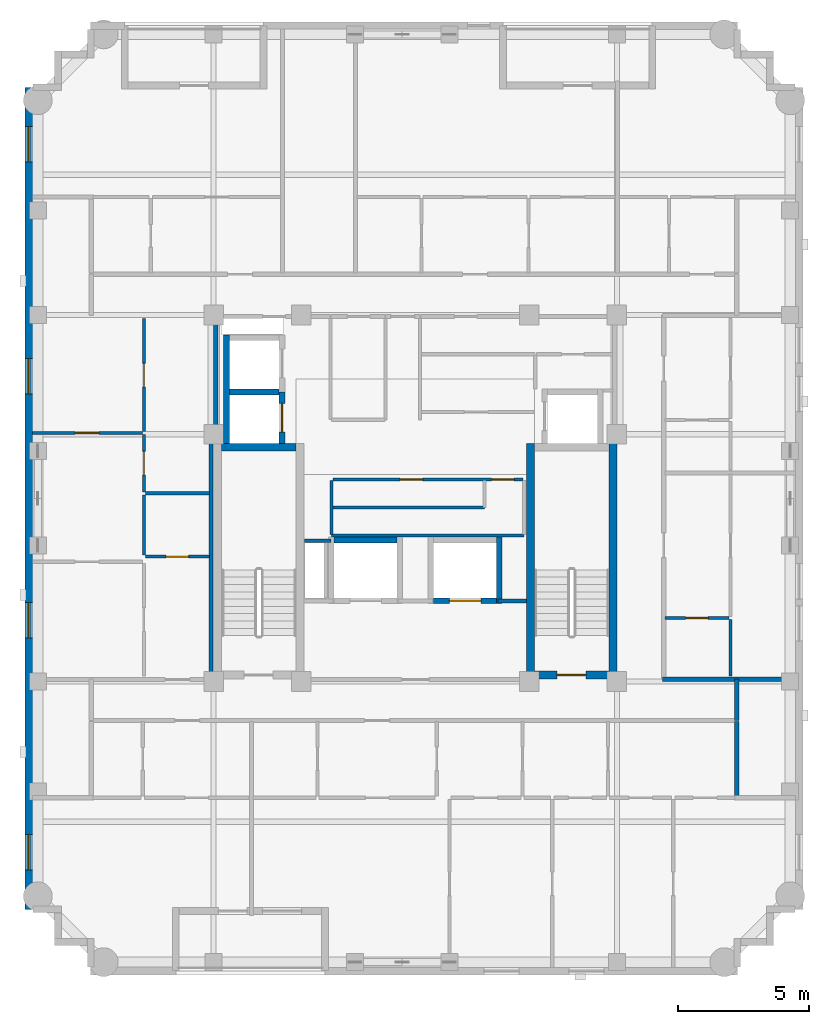
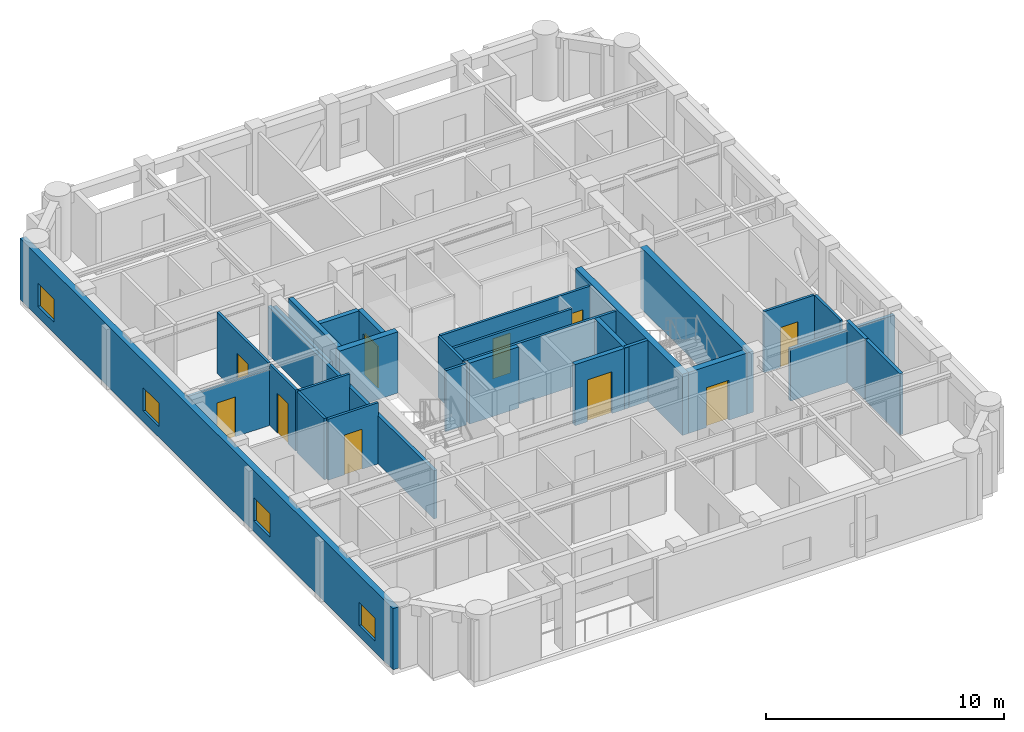
# One storey, part 4 of 10: 30 walls, 10 doors, 4 windows, 14 openings.
"""IFC4 building model written with IfcOpenShell, lengths in metres."""

from ifc_helpers import new_model, si_unit, derived_unit, direction, frame, frame_2d, origin, place, context, subcontext, project, spatial, rectangle, extrude, material, layer, layer_set, type_object, element, fill, save


model = new_model("IFC4")

# Units and contexts
model_context = context("Model", 3, precision=1e-05, world=origin(), true_north=direction((0.0, 1.0)))
body_context = subcontext(model_context, "Body", "Model", "MODEL_VIEW")
ifc_project = project(units=[si_unit("LENGTHUNIT", "METRE"), si_unit("AREAUNIT", "SQUARE_METRE"), si_unit("VOLUMEUNIT", "CUBIC_METRE"), si_unit("PLANEANGLEUNIT", "RADIAN"), si_unit("MASSUNIT", "GRAM", prefix="KILO"), derived_unit("THERMALTRANSMITTANCEUNIT", [(si_unit("MASSUNIT", "GRAM", prefix="KILO"), 1), (si_unit("TIMEUNIT", "SECOND"), -3), (si_unit("THERMODYNAMICTEMPERATUREUNIT", "KELVIN"), -1)])], contexts=[model_context])

# Site, building, storey
site_placement = place(None, origin())
site = spatial("IfcSite", under=ifc_project, at=site_placement, CompositionType="ELEMENT")
building_placement = place(site_placement, origin())
building = spatial("IfcBuilding", under=site, at=building_placement, Name="Korrvale Station Residences", CompositionType="ELEMENT")
storey_placement = place(building_placement, frame((0.0, 0.0, 217.300048828125)))
storey = spatial("IfcBuildingStorey", under=building, at=storey_placement, Name="L63", CompositionType="ELEMENT", Elevation=217.300048828125)

# Walls
ifc_material_1 = material(Name="Concrete C50/60", Category="concrete")
ifc_layer_1 = layer(ifc_material_1, 0.300048828125, Name="Concrete C50/60")
ifc_layer_set_1 = layer_set([ifc_layer_1], Name="Concrete C50/60")
wall_type_1 = type_object("IfcWallType", Name="WAL-CORE-300-C50", PredefinedType="SHEAR", material=ifc_layer_set_1)
wall_1_placement = place(storey_placement, frame((18.10009765625, 23.949951171875, 0.0), z_axis=(0.0, 0.0, 1.0), x_axis=(1.0, 0.0, 0.0)))
element("IfcWall", 1, at=wall_1_placement, inside=storey, type_object=wall_type_1, Name="L63 ST-1 Core Shear Wall North", PredefinedType="SHEAR", context=body_context, shape_type="SweptSolid", body=[
    extrude(rectangle(XDim=2.849853515625, YDim=0.300048828125, at=frame_2d((1.4248046875, 0.0))), origin(), (0.0, 0.0, 1.0), 3.139892578125),
])
for number, where, z_axis, x_axis, name in (
    (2, (29.89990234375, 15.10009765625, 0.0), (0.0, 0.0, 1.0), (0.0, 1.0, 0.0), "L63 ST-2 Core Shear Wall West"),
    (3, (33.050048828125, 15.10009765625, 0.0), (0.0, 0.0, 1.0), (0.0, 1.0, 0.0), "L63 ST-2 Core Shear Wall East"),
):
    element("IfcWall", number, at=place(storey_placement, frame(where, z_axis=z_axis, x_axis=x_axis)), inside=storey, type_object=wall_type_1, Name=name, PredefinedType="SHEAR", context=body_context, shape_type="SweptSolid", body=[
        extrude(rectangle(XDim=9.0, YDim=0.300048828125, at=frame_2d((4.5, 0.0))), origin(), (0.0, 0.0, 1.0), 3.139892578125),
    ])

# Wall, opening, door
wall_2_placement = place(storey_placement, frame((30.050048828125, 15.25, 0.0), z_axis=(0.0, 0.0, 1.0), x_axis=(1.0, 0.0, 0.0)))
wall_2 = element("IfcWall", 4, at=wall_2_placement, inside=storey, type_object=wall_type_1, Name="L63 ST-2 Core Shear Wall South", PredefinedType="SHEAR", context=body_context, shape_type="SweptSolid", body=[
    extrude(rectangle(XDim=2.849853515625, YDim=0.300048828125, at=frame_2d((1.4248046875, 0.0))), origin(), (0.0, 0.0, 1.0), 3.139892578125),
])
opening_1_placement = place(wall_2_placement, frame((0.860107421875, 0.0, 0.0)))
opening_1 = element("IfcOpeningElement", 5, at=opening_1_placement, cuts=wall_2, Name="Opening SD-1100", PredefinedType="OPENING", context=body_context, shape_type="SweptSolid", body=[
    extrude(rectangle(XDim=1.10009765625, YDim=2.050048828125, at=frame_2d((0.550048828125, 1.02490234375))), frame((0.0, 0.16015625, 0.0), z_axis=(0.0, -1.0, 0.0), x_axis=(1.0, 0.0, 0.0)), (0.0, 0.0, 1.0), 0.320068359375),
])
ifc_material_2 = material(Name="Hollow-metal fire-rated stair door with closer", Category="steel")
door_type_1 = type_object("IfcDoorType", Name="DR-STAIR-1100", OperationType="NOTDEFINED", PredefinedType="DOOR", material=ifc_material_2)
door_1_placement = place(opening_1_placement, origin())
door_1 = element("IfcDoor", 6, at=door_1_placement, inside=storey, type_object=door_type_1, Name="L63 ST-2 Exit Stair Door", OperationType="SINGLE_SWING_RIGHT", OverallHeight=2.050048828125, OverallWidth=1.10009765625, PredefinedType="DOOR", context=body_context, shape_type="SweptSolid", body=[
    extrude(rectangle(XDim=1.10009765625, YDim=2.050048828125, at=frame_2d((0.550048828125, 1.02490234375))), frame((0.0, 0.02490234375, 0.0), z_axis=(0.0, -1.0, 0.0), x_axis=(1.0, 0.0, 0.0)), (0.0, 0.0, 1.0), 0.050048828125),
])
fill(opening_1, door_1)

# Wall, openings, windows
ifc_material_3 = material(Name="Precast concrete C45/55", Category="concrete")
ifc_layer_2 = layer(ifc_material_3, 0.300048828125, Name="Precast concrete C45/55")
ifc_layer_set_2 = layer_set([ifc_layer_2], Name="Precast concrete C45/55")
wall_type_2 = type_object("IfcWallType", Name="WAL-EXT-PC300", PredefinedType="SOLIDWALL", material=ifc_layer_set_2)
wall_3_placement = place(storey_placement, frame((10.75, 6.300048828125, 0.0), z_axis=(0.0, 0.0, 1.0), x_axis=(0.0, 1.0, 0.0)))
wall_3 = element("IfcWall", 7, at=wall_3_placement, inside=storey, type_object=wall_type_2, Name="L63 West Exterior Precast Wall 1", PredefinedType="SOLIDWALL", context=body_context, shape_type="SweptSolid", body=[
    extrude(rectangle(XDim=31.39990234375, YDim=0.300048828125, at=frame_2d((15.699951171875, 0.0))), origin(), (0.0, 0.0, 1.0), 3.139892578125),
])
opening_2_placement = place(wall_3_placement, frame((1.50390625, 0.0, 0.550048828125)))
opening_2 = element("IfcOpeningElement", 8, at=opening_2_placement, cuts=wall_3, Name="Opening W-10", PredefinedType="OPENING", context=body_context, shape_type="SweptSolid", body=[
    extrude(rectangle(XDim=1.35009765625, YDim=1.199951171875, at=frame_2d((0.675048828125, 0.60009765625))), frame((0.0, 0.16015625, 0.0), z_axis=(0.0, -1.0, 0.0), x_axis=(1.0, 0.0, 0.0)), (0.0, 0.0, 1.0), 0.320068359375),
])
opening_3_placement = place(wall_3_placement, frame((28.5458984375, 0.0, 0.550048828125)))
opening_3 = element("IfcOpeningElement", 9, at=opening_3_placement, cuts=wall_3, Name="Opening W-10", PredefinedType="OPENING", context=body_context, shape_type="SweptSolid", body=[
    extrude(rectangle(XDim=1.35009765625, YDim=1.199951171875, at=frame_2d((0.675048828125, 0.60009765625))), frame((0.0, 0.16015625, 0.0), z_axis=(0.0, -1.0, 0.0), x_axis=(1.0, 0.0, 0.0)), (0.0, 0.0, 1.0), 0.320068359375),
])
opening_4_placement = place(wall_3_placement, frame((10.366943359375, 0.0, 0.550048828125)))
opening_4 = element("IfcOpeningElement", 10, at=opening_4_placement, cuts=wall_3, Name="Opening W-10", PredefinedType="OPENING", context=body_context, shape_type="SweptSolid", body=[
    extrude(rectangle(XDim=1.35009765625, YDim=1.199951171875, at=frame_2d((0.675048828125, 0.60009765625))), frame((0.0, 0.16015625, 0.0), z_axis=(0.0, -1.0, 0.0), x_axis=(1.0, 0.0, 0.0)), (0.0, 0.0, 1.0), 0.320068359375),
])
opening_5_placement = place(wall_3_placement, frame((19.68310546875, 0.0, 0.550048828125)))
opening_5 = element("IfcOpeningElement", 11, at=opening_5_placement, cuts=wall_3, Name="Opening W-10", PredefinedType="OPENING", context=body_context, shape_type="SweptSolid", body=[
    extrude(rectangle(XDim=1.35009765625, YDim=1.199951171875, at=frame_2d((0.675048828125, 0.60009765625))), frame((0.0, 0.16015625, 0.0), z_axis=(0.0, -1.0, 0.0), x_axis=(1.0, 0.0, 0.0)), (0.0, 0.0, 1.0), 0.320068359375),
])
ifc_material_4 = material(Name="Thermally broken aluminium frame with triple low-e glazing", Category="aluminium")
window_type = type_object("IfcWindowType", Name="WIN-W10", PartitioningType="SINGLE_PANEL", PredefinedType="WINDOW", material=ifc_material_4)
window_1_placement = place(opening_2_placement, origin())
window_1 = element("IfcWindow", 12, at=window_1_placement, inside=storey, type_object=window_type, Name="L63 Punched Window 01", OverallHeight=1.199951171875, OverallWidth=1.35009765625, PartitioningType="SINGLE_PANEL", PredefinedType="WINDOW", context=body_context, shape_type="SweptSolid", body=[
    extrude(rectangle(XDim=1.35009765625, YDim=1.199951171875, at=frame_2d((0.675048828125, 0.60009765625))), frame((0.0, 0.030029296875, 0.0), z_axis=(0.0, -1.0, 0.0), x_axis=(1.0, 0.0, 0.0)), (0.0, 0.0, 1.0), 0.06005859375),
])
fill(opening_2, window_1)
window_2_placement = place(opening_3_placement, origin())
window_2 = element("IfcWindow", 13, at=window_2_placement, inside=storey, type_object=window_type, Name="L63 Punched Window 06", OverallHeight=1.199951171875, OverallWidth=1.35009765625, PartitioningType="SINGLE_PANEL", PredefinedType="WINDOW", context=body_context, shape_type="SweptSolid", body=[
    extrude(rectangle(XDim=1.35009765625, YDim=1.199951171875, at=frame_2d((0.675048828125, 0.60009765625))), frame((0.0, 0.030029296875, 0.0), z_axis=(0.0, -1.0, 0.0), x_axis=(1.0, 0.0, 0.0)), (0.0, 0.0, 1.0), 0.06005859375),
])
fill(opening_3, window_2)
window_3_placement = place(opening_4_placement, origin())
window_3 = element("IfcWindow", 14, at=window_3_placement, inside=storey, type_object=window_type, Name="L63 Punched Window 09", OverallHeight=1.199951171875, OverallWidth=1.35009765625, PartitioningType="SINGLE_PANEL", PredefinedType="WINDOW", context=body_context, shape_type="SweptSolid", body=[
    extrude(rectangle(XDim=1.35009765625, YDim=1.199951171875, at=frame_2d((0.675048828125, 0.60009765625))), frame((0.0, 0.030029296875, 0.0), z_axis=(0.0, -1.0, 0.0), x_axis=(1.0, 0.0, 0.0)), (0.0, 0.0, 1.0), 0.06005859375),
])
fill(opening_4, window_3)
window_4_placement = place(opening_5_placement, origin())
window_4 = element("IfcWindow", 15, at=window_4_placement, inside=storey, type_object=window_type, Name="L63 Punched Window 10", OverallHeight=1.199951171875, OverallWidth=1.35009765625, PartitioningType="SINGLE_PANEL", PredefinedType="WINDOW", context=body_context, shape_type="SweptSolid", body=[
    extrude(rectangle(XDim=1.35009765625, YDim=1.199951171875, at=frame_2d((0.675048828125, 0.60009765625))), frame((0.0, 0.030029296875, 0.0), z_axis=(0.0, -1.0, 0.0), x_axis=(1.0, 0.0, 0.0)), (0.0, 0.0, 1.0), 0.06005859375),
])
fill(opening_5, window_4)

# Walls
ifc_material_5 = material(Name="Acoustic steel-stud gypsum board partition", Category="steel")
ifc_layer_3 = layer(ifc_material_5, 0.1201171875, Name="Acoustic steel-stud gypsum board partition")
ifc_layer_set_3 = layer_set([ifc_layer_3], Name="Acoustic steel-stud gypsum board partition")
wall_type_3 = type_object("IfcWallType", Name="WAL-PART-125", PredefinedType="PARTITIONING", material=ifc_layer_set_3)
wall_4_placement = place(storey_placement, frame((22.280029296875, 20.3798828125, 0.0), z_axis=(0.0, 0.0, 1.0), x_axis=(-1.0, 0.0, 0.0)))
element("IfcWall", 16, at=wall_4_placement, inside=storey, type_object=wall_type_3, Name="L63 Core Partition CW-RSWT-N", PredefinedType="PARTITIONING", context=body_context, shape_type="SweptSolid", body=[
    extrude(rectangle(XDim=1.02001953125, YDim=0.1201171875, at=frame_2d((0.510009765625, 0.0))), origin(), (0.0, 0.0, 1.0), 3.139892578125),
])
wall_5_placement = place(storey_placement, frame((22.300048828125, 20.580078125, 0.0), z_axis=(0.0, 0.0, 1.0), x_axis=(1.0, 0.0, 0.0)))
element("IfcWall", 17, at=wall_5_placement, inside=storey, type_object=wall_type_3, Name="L63 Core Partition CW-FPM-S", PredefinedType="PARTITIONING", context=body_context, shape_type="SweptSolid", body=[
    extrude(rectangle(XDim=7.349853515625, YDim=0.1201171875, at=frame_2d((3.6748046875, 0.0))), origin(), (0.0, 0.0, 1.0), 3.139892578125),
])
wall_6_placement = place(storey_placement, frame((22.300048828125, 20.6201171875, 0.0), z_axis=(0.0, 0.0, 1.0), x_axis=(0.0, 1.0, 0.0)))
element("IfcWall", 18, at=wall_6_placement, inside=storey, type_object=wall_type_3, Name="L63 Core Partition CW-FPM-W", PredefinedType="PARTITIONING", context=body_context, shape_type="SweptSolid", body=[
    extrude(rectangle(XDim=2.059814453125, YDim=0.1201171875, at=frame_2d((1.02978515625, 0.0))), origin(), (0.0, 0.0, 1.0), 3.139892578125),
])
wall_7_placement = place(storey_placement, frame((22.35009765625, 21.64990234375, 0.0), z_axis=(0.0, 0.0, 1.0), x_axis=(1.0, 0.0, 0.0)))
element("IfcWall", 19, at=wall_7_placement, inside=storey, type_object=wall_type_3, Name="L63 Core Partition CW-FPM-H1", PredefinedType="PARTITIONING", context=body_context, shape_type="SweptSolid", body=[
    extrude(rectangle(XDim=5.789794921875, YDim=0.1201171875, at=frame_2d((2.89501953125, 0.0))), origin(), (0.0, 0.0, 1.0), 3.139892578125),
])

# Wall, openings, doors
wall_8_placement = place(storey_placement, frame((22.35009765625, 22.719970703125, 0.0), z_axis=(0.0, 0.0, 1.0), x_axis=(1.0, 0.0, 0.0)))
wall_8 = element("IfcWall", 20, at=wall_8_placement, inside=storey, type_object=wall_type_3, Name="L63 Core Partition CW-FPM-N", PredefinedType="PARTITIONING", context=body_context, shape_type="SweptSolid", body=[
    extrude(rectangle(XDim=7.27001953125, YDim=0.1201171875, at=frame_2d((3.635009765625, 0.0))), origin(), (0.0, 0.0, 1.0), 3.139892578125),
])
opening_6_placement = place(wall_8_placement, frame((2.570068359375, 0.0, 0.0)))
opening_6 = element("IfcOpeningElement", 21, at=opening_6_placement, cuts=wall_8, Name="Opening DB-860", PredefinedType="OPENING", context=body_context, shape_type="SweptSolid", body=[
    extrude(rectangle(XDim=0.860107421875, YDim=2.050048828125, at=frame_2d((0.43017578125, 1.02490234375))), frame((0.0, 0.070068359375, 0.0), z_axis=(0.0, -1.0, 0.0), x_axis=(1.0, 0.0, 0.0)), (0.0, 0.0, 1.0), 0.14013671875),
])
opening_7_placement = place(wall_8_placement, frame((6.06005859375, 0.0, 0.0)))
opening_7 = element("IfcOpeningElement", 22, at=opening_7_placement, cuts=wall_8, Name="Opening DB-860", PredefinedType="OPENING", context=body_context, shape_type="SweptSolid", body=[
    extrude(rectangle(XDim=0.860107421875, YDim=2.050048828125, at=frame_2d((0.43017578125, 1.02490234375))), frame((0.0, 0.070068359375, 0.0), z_axis=(0.0, -1.0, 0.0), x_axis=(1.0, 0.0, 0.0)), (0.0, 0.0, 1.0), 0.14013671875),
])
ifc_material_6 = material(Name="Moisture-resistant solid-core bathroom door", Category="timber")
door_type_2 = type_object("IfcDoorType", Name="DR-BATH-860", OperationType="NOTDEFINED", PredefinedType="DOOR", material=ifc_material_6)
door_2_placement = place(opening_6_placement, origin())
door_2 = element("IfcDoor", 23, at=door_2_placement, inside=storey, type_object=door_type_2, Name="L63 Sky Pantry Door", OperationType="SINGLE_SWING_LEFT", OverallHeight=2.050048828125, OverallWidth=0.860107421875, PredefinedType="DOOR", context=body_context, shape_type="SweptSolid", body=[
    extrude(rectangle(XDim=0.860107421875, YDim=2.050048828125, at=frame_2d((0.43017578125, 1.02490234375))), frame((0.0, 0.02490234375, 0.0), z_axis=(0.0, -1.0, 0.0), x_axis=(1.0, 0.0, 0.0)), (0.0, 0.0, 1.0), 0.050048828125),
])
fill(opening_6, door_2)
door_3_placement = place(opening_7_placement, origin())
door_3 = element("IfcDoor", 24, at=door_3_placement, inside=storey, type_object=door_type_2, Name="L63 Tableware Store Door", OperationType="SINGLE_SWING_RIGHT", OverallHeight=2.050048828125, OverallWidth=0.860107421875, PredefinedType="DOOR", context=body_context, shape_type="SweptSolid", body=[
    extrude(rectangle(XDim=0.860107421875, YDim=2.050048828125, at=frame_2d((0.43017578125, 1.02490234375))), frame((0.0, 0.02490234375, 0.0), z_axis=(0.0, -1.0, 0.0), x_axis=(1.0, 0.0, 0.0)), (0.0, 0.0, 1.0), 0.050048828125),
])
fill(opening_7, door_3)

# Wall
wall_9_placement = place(storey_placement, frame((15.18994140625, 22.18994140625, 0.0), z_axis=(0.0, 0.0, 1.0), x_axis=(1.0, 0.0, 0.0)))
element("IfcWall", 25, at=wall_9_placement, inside=storey, type_object=wall_type_3, Name="L63 Suite Partition U06-H01", PredefinedType="PARTITIONING", context=body_context, shape_type="SweptSolid", body=[
    extrude(rectangle(XDim=2.449951171875, YDim=0.1201171875, at=frame_2d((1.22509765625, 0.0))), origin(), (0.0, 0.0, 1.0), 3.139892578125),
])

# Wall, opening, door
wall_10_placement = place(storey_placement, frame((15.1298828125, 22.25, 0.0), z_axis=(0.0, 0.0, 1.0), x_axis=(0.0, 1.0, 0.0)))
wall_10 = element("IfcWall", 26, at=wall_10_placement, inside=storey, type_object=wall_type_3, Name="L63 Suite Partition U06-V04", PredefinedType="PARTITIONING", context=body_context, shape_type="SweptSolid", body=[
    extrude(rectangle(XDim=2.181884765625, YDim=0.1201171875, at=frame_2d((1.0908203125, 0.0))), origin(), (0.0, 0.0, 1.0), 3.139892578125),
])
opening_8_placement = place(wall_10_placement, frame((0.64111328125, 0.0, 0.0)))
opening_8 = element("IfcOpeningElement", 27, at=opening_8_placement, cuts=wall_10, Name="Opening DI-900", PredefinedType="OPENING", context=body_context, shape_type="SweptSolid", body=[
    extrude(rectangle(XDim=0.89990234375, YDim=2.050048828125, at=frame_2d((0.449951171875, 1.02490234375))), frame((0.0, 0.070068359375, 0.0), z_axis=(0.0, -1.0, 0.0), x_axis=(1.0, 0.0, 0.0)), (0.0, 0.0, 1.0), 0.14013671875),
])
ifc_material_7 = material(Name="Painted solid-core timber interior room door", Category="wood")
door_type_3 = type_object("IfcDoorType", Name="DR-INT-900", OperationType="NOTDEFINED", PredefinedType="DOOR", material=ifc_material_7)
door_4_placement = place(opening_8_placement, origin())
door_4 = element("IfcDoor", 28, at=door_4_placement, inside=storey, type_object=door_type_3, Name="L63 Apartment 2BR L63-U06 Wardrobe Storage Room Door", OperationType="SINGLE_SWING_RIGHT", OverallHeight=2.050048828125, OverallWidth=0.89990234375, PredefinedType="DOOR", context=body_context, shape_type="SweptSolid", body=[
    extrude(rectangle(XDim=0.89990234375, YDim=2.050048828125, at=frame_2d((0.449951171875, 1.02490234375))), frame((0.0, 0.02490234375, 0.0), z_axis=(0.0, -1.0, 0.0), x_axis=(1.0, 0.0, 0.0)), (0.0, 0.0, 1.0), 0.050048828125),
])
fill(opening_8, door_4)

wall_11_placement = place(storey_placement, frame((15.1298828125, 24.552001953125, 0.0), z_axis=(0.0, 0.0, 1.0), x_axis=(0.0, 1.0, 0.0)))
wall_11 = element("IfcWall", 29, at=wall_11_placement, inside=storey, type_object=wall_type_3, Name="L63 Suite Partition U06-V05", PredefinedType="PARTITIONING", context=body_context, shape_type="SweptSolid", body=[
    extrude(rectangle(XDim=4.30810546875, YDim=0.1201171875, at=frame_2d((2.154052734375, 0.0))), origin(), (0.0, 0.0, 1.0), 3.139892578125),
])
opening_9_placement = place(wall_11_placement, frame((1.7041015625, 0.0, 0.0)))
opening_9 = element("IfcOpeningElement", 30, at=opening_9_placement, cuts=wall_11, Name="Opening DI-900", PredefinedType="OPENING", context=body_context, shape_type="SweptSolid", body=[
    extrude(rectangle(XDim=0.89990234375, YDim=2.050048828125, at=frame_2d((0.449951171875, 1.02490234375))), frame((0.0, 0.070068359375, 0.0), z_axis=(0.0, -1.0, 0.0), x_axis=(1.0, 0.0, 0.0)), (0.0, 0.0, 1.0), 0.14013671875),
])
door_5_placement = place(opening_9_placement, origin())
door_5 = element("IfcDoor", 31, at=door_5_placement, inside=storey, type_object=door_type_3, Name="L63 Apartment 2BR L63-U06 Wardrobe Storage Room Door", OperationType="SINGLE_SWING_LEFT", OverallHeight=2.050048828125, OverallWidth=0.89990234375, PredefinedType="DOOR", context=body_context, shape_type="SweptSolid", body=[
    extrude(rectangle(XDim=0.89990234375, YDim=2.050048828125, at=frame_2d((0.449951171875, 1.02490234375))), frame((0.0, 0.02490234375, 0.0), z_axis=(0.0, -1.0, 0.0), x_axis=(1.0, 0.0, 0.0)), (0.0, 0.0, 1.0), 0.050048828125),
])
fill(opening_9, door_5)

wall_12_placement = place(storey_placement, frame((15.18994140625, 19.77001953125, 0.0), z_axis=(0.0, 0.0, 1.0), x_axis=(1.0, 0.0, 0.0)))
wall_12 = element("IfcWall", 32, at=wall_12_placement, inside=storey, type_object=wall_type_3, Name="L63 Suite Partition U06-H12", PredefinedType="PARTITIONING", context=body_context, shape_type="SweptSolid", body=[
    extrude(rectangle(XDim=2.449951171875, YDim=0.1201171875, at=frame_2d((1.22509765625, 0.0))), origin(), (0.0, 0.0, 1.0), 3.139892578125),
])
opening_10_placement = place(wall_12_placement, frame((0.794921875, 0.0, 0.0)))
opening_10 = element("IfcOpeningElement", 33, at=opening_10_placement, cuts=wall_12, Name="Opening DB-860", PredefinedType="OPENING", context=body_context, shape_type="SweptSolid", body=[
    extrude(rectangle(XDim=0.860107421875, YDim=2.050048828125, at=frame_2d((0.43017578125, 1.02490234375))), frame((0.0, 0.070068359375, 0.0), z_axis=(0.0, -1.0, 0.0), x_axis=(1.0, 0.0, 0.0)), (0.0, 0.0, 1.0), 0.14013671875),
])
door_6_placement = place(opening_10_placement, origin())
door_6 = element("IfcDoor", 34, at=door_6_placement, inside=storey, type_object=door_type_2, Name="L63 Apartment 2BR L63-U06 Bathroom Door", OperationType="SINGLE_SWING_RIGHT", OverallHeight=2.050048828125, OverallWidth=0.860107421875, PredefinedType="DOOR", context=body_context, shape_type="SweptSolid", body=[
    extrude(rectangle(XDim=0.860107421875, YDim=2.050048828125, at=frame_2d((0.43017578125, 1.02490234375))), frame((0.0, 0.02490234375, 0.0), z_axis=(0.0, -1.0, 0.0), x_axis=(1.0, 0.0, 0.0)), (0.0, 0.0, 1.0), 0.050048828125),
])
fill(opening_10, door_6)

# Wall
wall_13_placement = place(storey_placement, frame((15.1298828125, 19.830078125, 0.0), z_axis=(0.0, 0.0, 1.0), x_axis=(0.0, 1.0, 0.0)))
element("IfcWall", 35, at=wall_13_placement, inside=storey, type_object=wall_type_3, Name="L63 Suite Partition U06-V14", PredefinedType="PARTITIONING", context=body_context, shape_type="SweptSolid", body=[
    extrude(rectangle(XDim=2.2998046875, YDim=0.1201171875, at=frame_2d((1.14990234375, 0.0))), origin(), (0.0, 0.0, 1.0), 3.139892578125),
])

# Wall, opening, door
wall_14_placement = place(storey_placement, frame((10.8798828125, 24.491943359375, 0.0), z_axis=(0.0, 0.0, 1.0), x_axis=(1.0, 0.0, 0.0)))
wall_14 = element("IfcWall", 36, at=wall_14_placement, inside=storey, type_object=wall_type_3, Name="L63 Suite Partition U06-H45", PredefinedType="PARTITIONING", context=body_context, shape_type="SweptSolid", body=[
    extrude(rectangle(XDim=4.190185546875, YDim=0.1201171875, at=frame_2d((2.09521484375, 0.0))), origin(), (0.0, 0.0, 1.0), 2.8779296875),
])
opening_11_placement = place(wall_14_placement, frame((1.6298828125, 0.0, 0.0)))
opening_11 = element("IfcOpeningElement", 37, at=opening_11_placement, cuts=wall_14, Name="Opening DI-900", PredefinedType="OPENING", context=body_context, shape_type="SweptSolid", body=[
    extrude(rectangle(XDim=0.89990234375, YDim=2.050048828125, at=frame_2d((0.449951171875, 1.02490234375))), frame((0.0, 0.070068359375, 0.0), z_axis=(0.0, -1.0, 0.0), x_axis=(1.0, 0.0, 0.0)), (0.0, 0.0, 1.0), 0.14013671875),
])
door_7_placement = place(opening_11_placement, origin())
door_7 = element("IfcDoor", 38, at=door_7_placement, inside=storey, type_object=door_type_3, Name="L63 Apartment 2BR L63-U06 Living and Dining Room Door", OperationType="SINGLE_SWING_LEFT", OverallHeight=2.050048828125, OverallWidth=0.89990234375, PredefinedType="DOOR", context=body_context, shape_type="SweptSolid", body=[
    extrude(rectangle(XDim=0.89990234375, YDim=2.050048828125, at=frame_2d((0.449951171875, 1.02490234375))), frame((0.0, 0.02490234375, 0.0), z_axis=(0.0, -1.0, 0.0), x_axis=(1.0, 0.0, 0.0)), (0.0, 0.0, 1.0), 0.050048828125),
])
fill(opening_11, door_7)

wall_15_placement = place(storey_placement, frame((35.030029296875, 17.428955078125, 0.0), z_axis=(0.0, 0.0, 1.0), x_axis=(1.0, 0.0, 0.0)))
wall_15 = element("IfcWall", 39, at=wall_15_placement, inside=storey, type_object=wall_type_3, Name="L63 Suite Partition U07-H01", PredefinedType="PARTITIONING", context=body_context, shape_type="SweptSolid", body=[
    extrude(rectangle(XDim=2.449951171875, YDim=0.1201171875, at=frame_2d((1.22509765625, 0.0))), origin(), (0.0, 0.0, 1.0), 3.139892578125),
])
opening_12_placement = place(wall_15_placement, frame((0.794921875, 0.0, 0.0)))
opening_12 = element("IfcOpeningElement", 40, at=opening_12_placement, cuts=wall_15, Name="Opening DB-860", PredefinedType="OPENING", context=body_context, shape_type="SweptSolid", body=[
    extrude(rectangle(XDim=0.860107421875, YDim=2.050048828125, at=frame_2d((0.43017578125, 1.02490234375))), frame((0.0, 0.070068359375, 0.0), z_axis=(0.0, -1.0, 0.0), x_axis=(1.0, 0.0, 0.0)), (0.0, 0.0, 1.0), 0.14013671875),
])
door_8_placement = place(opening_12_placement, origin())
door_8 = element("IfcDoor", 41, at=door_8_placement, inside=storey, type_object=door_type_2, Name="L63 Studio Apartment L63-U07 Bathroom Door", OperationType="SINGLE_SWING_RIGHT", OverallHeight=2.050048828125, OverallWidth=0.860107421875, PredefinedType="DOOR", context=body_context, shape_type="SweptSolid", body=[
    extrude(rectangle(XDim=0.860107421875, YDim=2.050048828125, at=frame_2d((0.43017578125, 1.02490234375))), frame((0.0, 0.02490234375, 0.0), z_axis=(0.0, -1.0, 0.0), x_axis=(1.0, 0.0, 0.0)), (0.0, 0.0, 1.0), 0.050048828125),
])
fill(opening_12, door_8)

# Walls
wall_16_placement = place(storey_placement, frame((37.5400390625, 15.2099609375, 0.0), z_axis=(0.0, 0.0, 1.0), x_axis=(0.0, 1.0, 0.0)))
element("IfcWall", 42, at=wall_16_placement, inside=storey, type_object=wall_type_3, Name="L63 Suite Partition U07-V02", PredefinedType="PARTITIONING", context=body_context, shape_type="SweptSolid", body=[
    extrude(rectangle(XDim=2.158935546875, YDim=0.1201171875, at=frame_2d((1.07958984375, 0.0))), origin(), (0.0, 0.0, 1.0), 3.139892578125),
])
ifc_material_8 = material(Name="Fire-rated twin-stud gypsum and mineral wool shaftwall assembly", Category="gypsum")
ifc_layer_4 = layer(ifc_material_8, 0.159912109375, Name="Fire-rated twin-stud gypsum and mineral wool shaftwall assembly")
ifc_layer_set_4 = layer_set([ifc_layer_4], Name="Fire-rated twin-stud gypsum and mineral wool shaftwall assembly")
wall_type_4 = type_object("IfcWallType", Name="WAL-PART-200", PredefinedType="PARTITIONING", material=ifc_layer_set_4)
wall_17_placement = place(storey_placement, frame((28.64990234375, 18.080078125, 0.0), z_axis=(0.0, 0.0, 1.0), x_axis=(1.0, 0.0, 0.0)))
element("IfcWall", 43, at=wall_17_placement, inside=storey, type_object=wall_type_4, Name="L63 Core Partition CW-FFL-N3", PredefinedType="PARTITIONING", context=body_context, shape_type="SweptSolid", body=[
    extrude(rectangle(XDim=1.10009765625, YDim=0.159912109375, at=frame_2d((0.550048828125, 0.0))), origin(), (0.0, 0.0, 1.0), 3.139892578125),
])
wall_18_placement = place(storey_placement, frame((17.8798828125, 24.1201171875, 0.0), z_axis=(0.0, 0.0, 1.0), x_axis=(0.0, 1.0, 0.0)))
element("IfcWall", 44, at=wall_18_placement, inside=storey, type_object=wall_type_4, Name="L63 Core Partition CW-W-N", PredefinedType="PARTITIONING", context=body_context, shape_type="SweptSolid", body=[
    extrude(rectangle(XDim=4.759765625, YDim=0.159912109375, at=frame_2d((2.3798828125, 0.0))), origin(), (0.0, 0.0, 1.0), 2.474853515625),
])
wall_19_placement = place(storey_placement, frame((37.780029296875, 13.510009765625, 0.0), z_axis=(0.0, 0.0, 1.0), x_axis=(0.0, 1.0, 0.0)))
element("IfcWall", 45, at=wall_19_placement, inside=storey, type_object=wall_type_4, Name="L63 Corridor South East Cap", PredefinedType="PARTITIONING", context=body_context, shape_type="SweptSolid", body=[
    extrude(rectangle(XDim=1.580078125, YDim=0.159912109375, at=frame_2d((0.7900390625, 0.0))), origin(), (0.0, 0.0, 1.0), 3.139892578125),
])
wall_20_placement = place(storey_placement, frame((34.949951171875, 15.090087890625, 0.0), z_axis=(0.0, 0.0, 1.0), x_axis=(1.0, 0.0, 0.0)))
element("IfcWall", 46, at=wall_20_placement, inside=storey, type_object=wall_type_4, Name="L63 East Wing South Corridor Wall", PredefinedType="PARTITIONING", context=body_context, shape_type="SweptSolid", body=[
    extrude(rectangle(XDim=5.070068359375, YDim=0.159912109375, at=frame_2d((2.53515625, 0.0))), origin(), (0.0, 0.0, 1.0), 2.66796875),
])
wall_21_placement = place(storey_placement, frame((37.780029296875, 10.56005859375, 0.0), z_axis=(0.0, 0.0, 1.0), x_axis=(0.0, 1.0, 0.0)))
element("IfcWall", 47, at=wall_21_placement, inside=storey, type_object=wall_type_4, Name="L63 Corner Step Cheek U02-R", PredefinedType="PARTITIONING", context=body_context, shape_type="SweptSolid", body=[
    extrude(rectangle(XDim=2.909912109375, YDim=0.159912109375, at=frame_2d((1.455078125, 0.0))), origin(), (0.0, 0.0, 1.0), 3.139892578125),
])
wall_22_placement = place(storey_placement, frame((17.699951171875, 15.02001953125, 0.0), z_axis=(0.0, 0.0, 1.0), x_axis=(0.0, 1.0, 0.0)))
element("IfcWall", 48, at=wall_22_placement, inside=storey, type_object=wall_type_4, Name="L63 Rated Corridor Wall W", PredefinedType="PARTITIONING", context=body_context, shape_type="SweptSolid", body=[
    extrude(rectangle(XDim=13.97998046875, YDim=0.159912109375, at=frame_2d((6.989990234375, 0.0))), origin(), (0.0, 0.0, 1.0), 2.474853515625),
])
ifc_layer_5 = layer(ifc_material_1, 0.219970703125, Name="Concrete C50/60")
ifc_layer_set_5 = layer_set([ifc_layer_5], Name="Concrete C50/60")
wall_type_5 = type_object("IfcWallType", Name="WAL-SHAFT-220-C50", PredefinedType="SHEAR", material=ifc_layer_set_5)
wall_23_placement = place(storey_placement, frame((18.2900390625, 24.10009765625, 0.0), z_axis=(0.0, 0.0, 1.0), x_axis=(0.0, 1.0, 0.0)))
element("IfcWall", 49, at=wall_23_placement, inside=storey, type_object=wall_type_5, Name="L63 Elevator PH-1 Hoistway Wall West", PredefinedType="SHEAR", context=body_context, shape_type="SweptSolid", body=[
    extrude(rectangle(XDim=4.139892578125, YDim=0.219970703125, at=frame_2d((2.06982421875, 0.0))), origin(), (0.0, 0.0, 1.0), 3.139892578125),
])

# Wall, opening, door
wall_24_placement = place(storey_placement, frame((20.409912109375, 24.10009765625, 0.0), z_axis=(0.0, 0.0, 1.0), x_axis=(0.0, 1.0, 0.0)))
wall_24 = element("IfcWall", 50, at=wall_24_placement, inside=storey, type_object=wall_type_5, Name="L63 Elevator PH-1 Hoistway Wall East", PredefinedType="SHEAR", context=body_context, shape_type="SweptSolid", body=[
    extrude(rectangle(XDim=1.9599609375, YDim=0.219970703125, at=frame_2d((0.97998046875, 0.0))), origin(), (0.0, 0.0, 1.0), 3.139892578125),
])
opening_13_placement = place(wall_24_placement, frame((0.429931640625, 0.0, 0.0)))
opening_13 = element("IfcOpeningElement", 51, at=opening_13_placement, cuts=wall_24, Name="Opening LD-1100", PredefinedType="OPENING", context=body_context, shape_type="SweptSolid", body=[
    extrude(rectangle(XDim=1.10009765625, YDim=2.14990234375, at=frame_2d((0.550048828125, 1.074951171875))), frame((0.0, 0.1201171875, 0.0), z_axis=(0.0, -1.0, 0.0), x_axis=(1.0, 0.0, 0.0)), (0.0, 0.0, 1.0), 0.239990234375),
])
ifc_material_9 = material(Name="Brushed stainless-steel elevator landing sliding door", Category="steel")
door_type_4 = type_object("IfcDoorType", Name="DR-LIFT-1100", OperationType="SLIDING_TO_LEFT", PredefinedType="DOOR", material=ifc_material_9)
door_9_placement = place(opening_13_placement, origin())
door_9 = element("IfcDoor", 52, at=door_9_placement, inside=storey, type_object=door_type_4, Name="L63 Elevator PH-1 Sliding Landing Door", OperationType="SLIDING_TO_LEFT", OverallHeight=2.14990234375, OverallWidth=1.10009765625, PredefinedType="DOOR", context=body_context, shape_type="SweptSolid", body=[
    extrude(rectangle(XDim=1.10009765625, YDim=2.14990234375, at=frame_2d((0.550048828125, 1.074951171875))), frame((0.0, 0.02490234375, 0.0), z_axis=(0.0, -1.0, 0.0), x_axis=(1.0, 0.0, 0.0)), (0.0, 0.0, 1.0), 0.050048828125),
])
fill(opening_13, door_9)

# Walls
wall_25_placement = place(storey_placement, frame((18.39990234375, 26.06005859375, 0.0), z_axis=(0.0, 0.0, 1.0), x_axis=(1.0, 0.0, 0.0)))
element("IfcWall", 53, at=wall_25_placement, inside=storey, type_object=wall_type_5, Name="L63 Elevator PH-2 Hoistway Wall South", PredefinedType="SHEAR", context=body_context, shape_type="SweptSolid", body=[
    extrude(rectangle(XDim=1.900146484375, YDim=0.219970703125, at=frame_2d((0.9501953125, 0.0))), origin(), (0.0, 0.0, 1.0), 3.139892578125),
])
wall_26_placement = place(storey_placement, frame((22.39990234375, 20.409912109375, 0.0), z_axis=(0.0, 0.0, 1.0), x_axis=(1.0, 0.0, 0.0)))
element("IfcWall", 54, at=wall_26_placement, inside=storey, type_object=wall_type_5, Name="L63 Elevator FFL-1 Hoistway Wall North", PredefinedType="SHEAR", context=body_context, shape_type="SweptSolid", body=[
    extrude(rectangle(XDim=2.400146484375, YDim=0.219970703125, at=frame_2d((1.2001953125, 0.0))), origin(), (0.0, 0.0, 1.0), 3.139892578125),
])

# Wall, opening, door
wall_27_placement = place(storey_placement, frame((26.199951171875, 18.090087890625, 0.0), z_axis=(0.0, 0.0, 1.0), x_axis=(1.0, 0.0, 0.0)))
wall_27 = element("IfcWall", 55, at=wall_27_placement, inside=storey, type_object=wall_type_5, Name="L63 Elevator FFL-2 Hoistway Wall South", PredefinedType="SHEAR", context=body_context, shape_type="SweptSolid", body=[
    extrude(rectangle(XDim=2.400146484375, YDim=0.219970703125, at=frame_2d((1.2001953125, 0.0))), origin(), (0.0, 0.0, 1.0), 3.139892578125),
])
opening_14_placement = place(wall_27_placement, frame((0.60009765625, 0.0, 0.0)))
opening_14 = element("IfcOpeningElement", 56, at=opening_14_placement, cuts=wall_27, Name="Opening LD-FF1200", PredefinedType="OPENING", context=body_context, shape_type="SweptSolid", body=[
    extrude(rectangle(XDim=1.199951171875, YDim=2.14990234375, at=frame_2d((0.60009765625, 1.074951171875))), frame((0.0, 0.1201171875, 0.0), z_axis=(0.0, -1.0, 0.0), x_axis=(1.0, 0.0, 0.0)), (0.0, 0.0, 1.0), 0.239990234375),
])
ifc_material_10 = material(Name="Stainless-steel firefighter elevator landing sliding door", Category="steel")
door_type_5 = type_object("IfcDoorType", Name="DR-LIFT-FF1200", OperationType="SLIDING_TO_LEFT", PredefinedType="DOOR", material=ifc_material_10)
door_10_placement = place(opening_14_placement, origin())
door_10 = element("IfcDoor", 57, at=door_10_placement, inside=storey, type_object=door_type_5, Name="L63 Elevator FFL-2 Sliding Landing Door", OperationType="SLIDING_TO_LEFT", OverallHeight=2.14990234375, OverallWidth=1.199951171875, PredefinedType="DOOR", context=body_context, shape_type="SweptSolid", body=[
    extrude(rectangle(XDim=1.199951171875, YDim=2.14990234375, at=frame_2d((0.60009765625, 1.074951171875))), frame((0.0, 0.02490234375, 0.0), z_axis=(0.0, -1.0, 0.0), x_axis=(1.0, 0.0, 0.0)), (0.0, 0.0, 1.0), 0.050048828125),
])
fill(opening_14, door_10)

# Wall
wall_28_placement = place(storey_placement, frame((28.7099609375, 17.97998046875, 0.0), z_axis=(0.0, 0.0, 1.0), x_axis=(0.0, 1.0, 0.0)))
element("IfcWall", 58, at=wall_28_placement, inside=storey, type_object=wall_type_5, Name="L63 Elevator FFL-2 Hoistway Wall East", PredefinedType="SHEAR", context=body_context, shape_type="SweptSolid", body=[
    extrude(rectangle(XDim=2.5400390625, YDim=0.219970703125, at=frame_2d((1.27001953125, 0.0))), origin(), (0.0, 0.0, 1.0), 3.139892578125),
])

save(model, "model.ifc")
